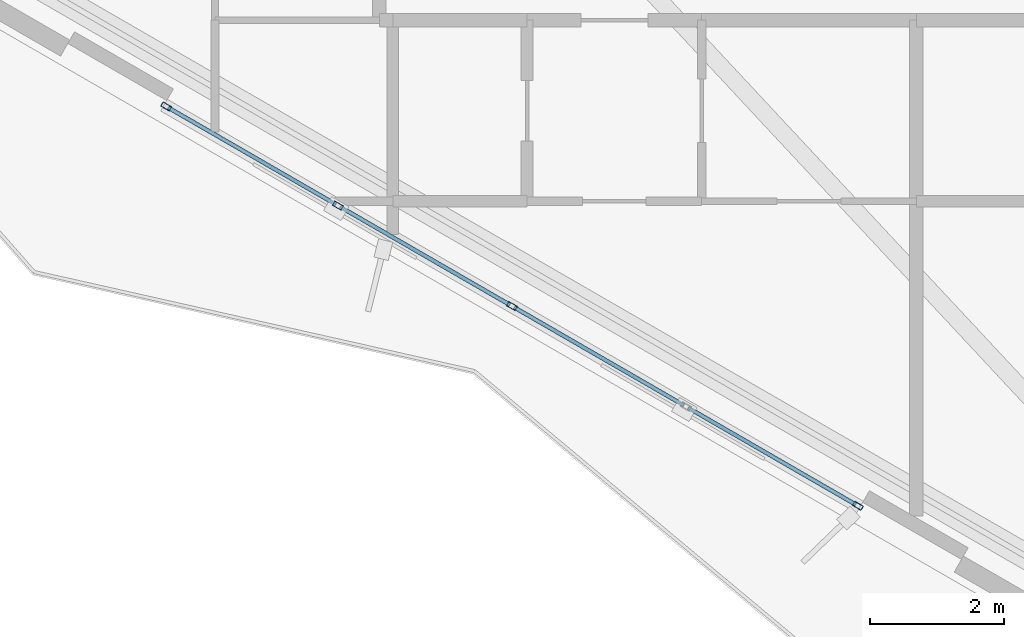
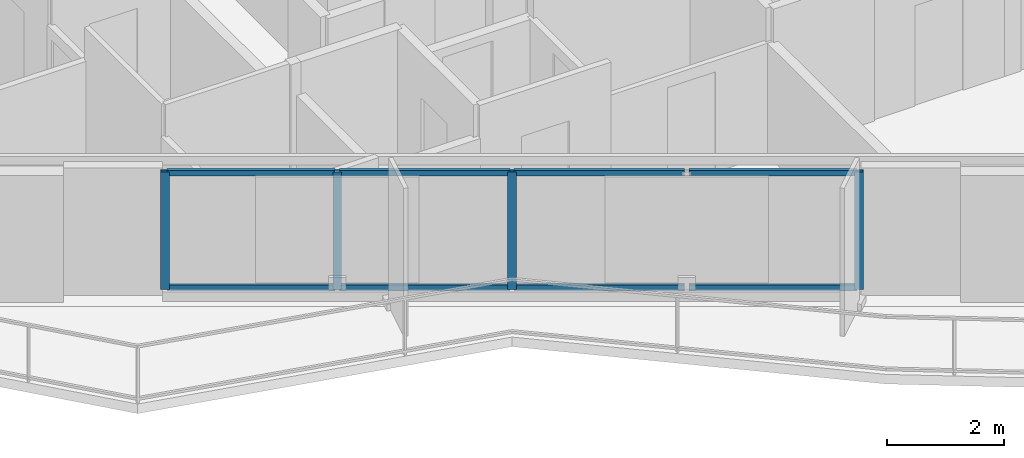
# One storey, part 2 of 18: 12 members, 1 element without a shape of its own.
"""IFC4 building model written with IfcOpenShell, lengths in metres."""

from ifc_helpers import new_model, si_unit, direction, frame, origin, origin_2d, place, context, subcontext, project, spatial, hollow_rectangle, extrude, material, layer, layer_set, material_profile, profile_set, type_object, element, aggregate, save


model = new_model("IFC4")

# Units and contexts
model_context = context("Model", 3, precision=1e-05, world=origin(), true_north=direction((0.0, 1.0)))
body_context = subcontext(model_context, "Body", "Model", "MODEL_VIEW")
ifc_project = project(units=[si_unit("LENGTHUNIT", "METRE"), si_unit("AREAUNIT", "SQUARE_METRE"), si_unit("VOLUMEUNIT", "CUBIC_METRE"), si_unit("PLANEANGLEUNIT", "RADIAN"), si_unit("MASSUNIT", "GRAM", prefix="KILO")], contexts=[model_context])

# Site, building, storey
site_placement = place(None, origin())
site = spatial("IfcSite", under=ifc_project, at=site_placement, CompositionType="ELEMENT")
building_placement = place(site_placement, origin())
building = spatial("IfcBuilding", under=site, at=building_placement, Name="Mersakhor Tower and Convention Hall", CompositionType="ELEMENT")
storey_placement = place(building_placement, frame((0.0, 0.0, 32.39990234375)))
storey = spatial("IfcBuildingStorey", under=building, at=storey_placement, Name="L08", CompositionType="ELEMENT", Elevation=32.39990234375)

# Curtain wall, members
ifc_material_1 = material(Name="Dark solar low-E aluminium curtain wall", Category="aluminium")
ifc_layer = layer(ifc_material_1, 0.159912109375)
ifc_layer_set = layer_set([ifc_layer], Name="Dark solar low-E aluminium curtain wall")
curtain_wall_type = type_object("IfcCurtainWallType", Name="CW-SYS-01", PredefinedType="USERDEFINED", material=ifc_layer_set)
curtain_wall_placement = place(storey_placement, origin())
curtain_wall = element("IfcCurtainWall", 1, at=curtain_wall_placement, inside=storey, type_object=curtain_wall_type, Name="L08 Dark-Glass Curtain Wall F3-B2", ObjectType="CURTAIN WALL", PredefinedType="USERDEFINED")
ifc_material_2 = material(Name="Anodised aluminium EN AW-6063 T6", Category="aluminium")
ifc_material_profile_1 = material_profile(ifc_material_2, hollow_rectangle(XDim=0.074951171875, YDim=0.14990234375, WallThickness=0.00634765625, at=origin_2d()), Name="RHS 150x75x6.3")
ifc_profile_set_1 = profile_set([ifc_material_profile_1], Name="Anodised aluminium EN AW-6063 T6")
member_type_1 = type_object("IfcMemberType", Name="CWM-150x75", PredefinedType="MULLION", material=ifc_profile_set_1)
member_1_placement = place(storey_placement, frame((26.72705078125, 10.9150390625, 0.2001953125), z_axis=(0.0, 0.0, 1.0), x_axis=(-0.50000344889, -0.866023412558, 0.0)))
member_1 = element("IfcMember", 2, at=member_1_placement, type_object=member_type_1, Name="CW-01 mullion 1", PredefinedType="MULLION", context=body_context, shape_type="SweptSolid", body=[
    extrude(hollow_rectangle(XDim=0.074951171875, YDim=0.14990234375, WallThickness=0.00634765625, at=origin_2d()), origin(), (0.0, 0.0, 1.0), 2.4599609375),
])
member_2_placement = place(storey_placement, frame((21.574951171875, 13.889404296875, 0.2001953125), z_axis=(0.0, 0.0, 1.0), x_axis=(-0.50000344889, -0.866023412558, 0.0)))
member_2 = element("IfcMember", 3, at=member_2_placement, type_object=member_type_1, Name="CW-01 mullion 3", PredefinedType="MULLION", context=body_context, shape_type="SweptSolid", body=[
    extrude(hollow_rectangle(XDim=0.074951171875, YDim=0.14990234375, WallThickness=0.00634765625, at=origin_2d()), origin(), (0.0, 0.0, 1.0), 2.4599609375),
])
member_3_placement = place(storey_placement, frame((18.982666015625, 15.38623046875, 0.2001953125), z_axis=(0.0, 0.0, 1.0), x_axis=(-0.50000344889, -0.866023412558, 0.0)))
member_3 = element("IfcMember", 4, at=member_3_placement, type_object=member_type_1, Name="CW-01 mullion 4", PredefinedType="MULLION", context=body_context, shape_type="SweptSolid", body=[
    extrude(hollow_rectangle(XDim=0.074951171875, YDim=0.14990234375, WallThickness=0.00634765625, at=origin_2d()), origin(), (0.0, 0.0, 1.0), 2.4599609375),
])
member_4_placement = place(storey_placement, frame((16.423095703125, 16.864013671875, 0.2001953125), z_axis=(0.0, 0.0, 1.0), x_axis=(-0.50000344889, -0.866023412558, 0.0)))
member_4 = element("IfcMember", 5, at=member_4_placement, type_object=member_type_1, Name="CW-01 mullion 5", PredefinedType="MULLION", context=body_context, shape_type="SweptSolid", body=[
    extrude(hollow_rectangle(XDim=0.074951171875, YDim=0.14990234375, WallThickness=0.00634765625, at=origin_2d()), origin(), (0.0, 0.0, 1.0), 2.4599609375),
])
ifc_material_3 = material(Name="Anodised aluminium EN AW-6063 T6", Category="aluminium")
ifc_material_profile_2 = material_profile(ifc_material_3, hollow_rectangle(XDim=0.06005859375, YDim=0.1201171875, WallThickness=0.0048828125, at=origin_2d()), Name="RHS 120x60x5")
ifc_profile_set_2 = profile_set([ifc_material_profile_2], Name="Anodised aluminium EN AW-6063 T6")
member_type_2 = type_object("IfcMemberType", Name="CWT-120x60", PredefinedType="USERDEFINED", material=ifc_profile_set_2)
member_5_placement = place(storey_placement, frame((26.694580078125, 10.93359375, 0.22998046875), z_axis=(-0.866023290103, 0.500003660985, 0.0), x_axis=(-0.500003660985, -0.866023290103, 0.0)))
member_5 = element("IfcMember", 6, at=member_5_placement, type_object=member_type_2, Name="CW-01 transom 1.1", ObjectType="TRANSOM", PredefinedType="USERDEFINED", context=body_context, shape_type="SweptSolid", body=[
    extrude(hollow_rectangle(XDim=0.06005859375, YDim=0.1201171875, WallThickness=0.0048828125, at=origin_2d()), origin(), (0.0, 0.0, 1.0), 2.880859375),
])
member_6_placement = place(storey_placement, frame((26.694580078125, 10.93359375, 2.630126953125), z_axis=(-0.866023290103, 0.500003660985, 0.0), x_axis=(-0.500003660985, -0.866023290103, 0.0)))
member_6 = element("IfcMember", 7, at=member_6_placement, type_object=member_type_2, Name="CW-01 transom 1.2", ObjectType="TRANSOM", PredefinedType="USERDEFINED", context=body_context, shape_type="SweptSolid", body=[
    extrude(hollow_rectangle(XDim=0.06005859375, YDim=0.1201171875, WallThickness=0.0048828125, at=origin_2d()), origin(), (0.0, 0.0, 1.0), 2.880859375),
])
member_7_placement = place(storey_placement, frame((24.134765625, 12.41162109375, 0.22998046875), z_axis=(-0.866015622527, 0.500016941252, 0.0), x_axis=(-0.500016941252, -0.866015622527, 0.0)))
member_7 = element("IfcMember", 8, at=member_7_placement, type_object=member_type_2, Name="CW-01 transom 2.1", ObjectType="TRANSOM", PredefinedType="USERDEFINED", context=body_context, shape_type="SweptSolid", body=[
    extrude(hollow_rectangle(XDim=0.06005859375, YDim=0.1201171875, WallThickness=0.0048828125, at=origin_2d()), origin(), (0.0, 0.0, 1.0), 2.91845703125),
])
member_8_placement = place(storey_placement, frame((24.134765625, 12.41162109375, 2.630126953125), z_axis=(-0.866015622527, 0.500016941252, 0.0), x_axis=(-0.500016941252, -0.866015622527, 0.0)))
member_8 = element("IfcMember", 9, at=member_8_placement, type_object=member_type_2, Name="CW-01 transom 2.2", ObjectType="TRANSOM", PredefinedType="USERDEFINED", context=body_context, shape_type="SweptSolid", body=[
    extrude(hollow_rectangle(XDim=0.06005859375, YDim=0.1201171875, WallThickness=0.0048828125, at=origin_2d()), origin(), (0.0, 0.0, 1.0), 2.91845703125),
])
member_9_placement = place(storey_placement, frame((21.54248046875, 13.908203125, 0.22998046875), z_axis=(-0.866015622527, 0.500016941252, 0.0), x_axis=(-0.500016941252, -0.866015622527, 0.0)))
member_9 = element("IfcMember", 10, at=member_9_placement, type_object=member_type_2, Name="CW-01 transom 3.1", ObjectType="TRANSOM", PredefinedType="USERDEFINED", context=body_context, shape_type="SweptSolid", body=[
    extrude(hollow_rectangle(XDim=0.06005859375, YDim=0.1201171875, WallThickness=0.0048828125, at=origin_2d()), origin(), (0.0, 0.0, 1.0), 2.91845703125),
])
member_10_placement = place(storey_placement, frame((21.54248046875, 13.908203125, 2.630126953125), z_axis=(-0.866015622527, 0.500016941252, 0.0), x_axis=(-0.500016941252, -0.866015622527, 0.0)))
member_10 = element("IfcMember", 11, at=member_10_placement, type_object=member_type_2, Name="CW-01 transom 3.2", ObjectType="TRANSOM", PredefinedType="USERDEFINED", context=body_context, shape_type="SweptSolid", body=[
    extrude(hollow_rectangle(XDim=0.06005859375, YDim=0.1201171875, WallThickness=0.0048828125, at=origin_2d()), origin(), (0.0, 0.0, 1.0), 2.91845703125),
])
member_11_placement = place(storey_placement, frame((18.9501953125, 15.40478515625, 0.22998046875), z_axis=(-0.866002100865, 0.500040359669, 0.0), x_axis=(-0.500040359669, -0.866002100865, 0.0)))
member_11 = element("IfcMember", 12, at=member_11_placement, type_object=member_type_2, Name="CW-01 transom 4.1", ObjectType="TRANSOM", PredefinedType="USERDEFINED", context=body_context, shape_type="SweptSolid", body=[
    extrude(hollow_rectangle(XDim=0.06005859375, YDim=0.1201171875, WallThickness=0.0048828125, at=origin_2d()), origin(), (0.0, 0.0, 1.0), 2.880615234375),
])
member_12_placement = place(storey_placement, frame((18.9501953125, 15.40478515625, 2.630126953125), z_axis=(-0.866002100865, 0.500040359669, 0.0), x_axis=(-0.500040359669, -0.866002100865, 0.0)))
member_12 = element("IfcMember", 13, at=member_12_placement, type_object=member_type_2, Name="CW-01 transom 4.2", ObjectType="TRANSOM", PredefinedType="USERDEFINED", context=body_context, shape_type="SweptSolid", body=[
    extrude(hollow_rectangle(XDim=0.06005859375, YDim=0.1201171875, WallThickness=0.0048828125, at=origin_2d()), origin(), (0.0, 0.0, 1.0), 2.880615234375),
])
aggregate(curtain_wall, [member_1, member_2, member_3, member_4, member_5, member_6, member_7, member_8, member_9, member_10, member_11, member_12])

save(model, "model.ifc")
